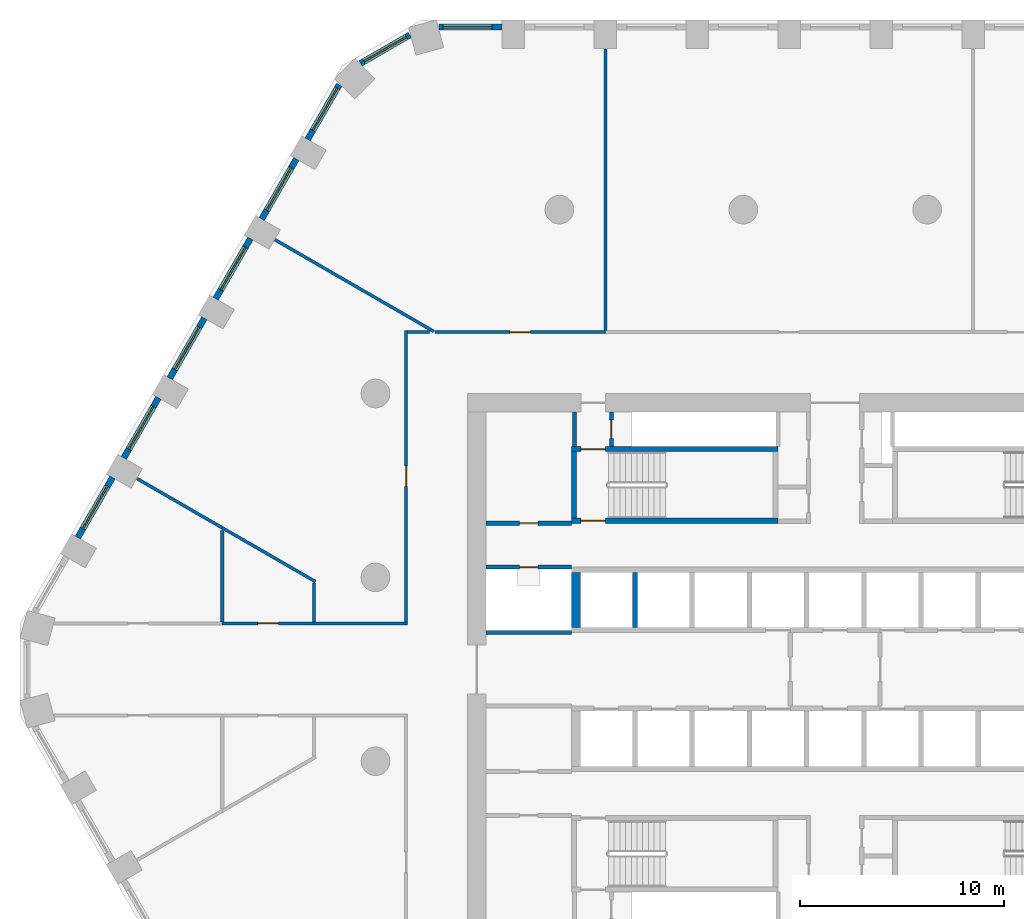
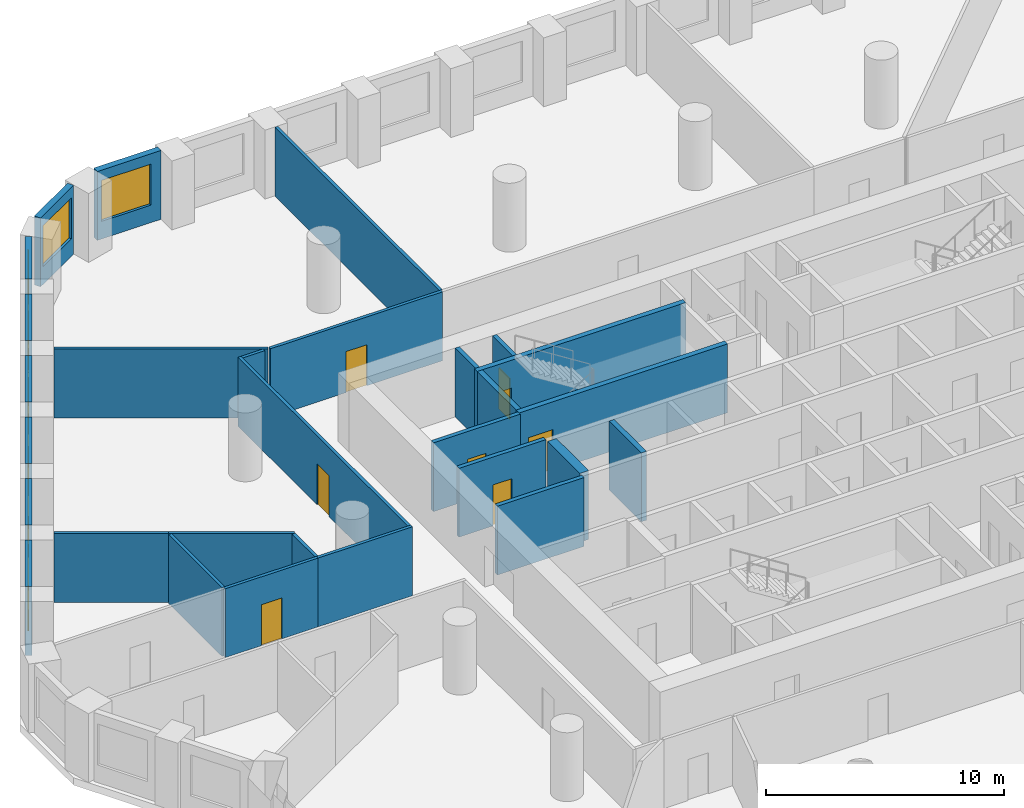
# One storey, part 5 of 10: 29 walls, 8 doors, 8 windows, 16 openings.
"""IFC4 building model written with IfcOpenShell, lengths in metres."""

import ifcopenshell
import ifcopenshell.guid

model = None  # the IFC model being written
_history = None  # IfcOwnerHistory: only IFC2X3 demands one
_inside = {}  # id of a spatial element -> (the spatial element, [elements in it])
_under = {}  # id of a project, library or spatial element -> (it, [spatial elements below it])
_declared = {}  # id of a project -> (the project, [libraries it declares])
_typed = {}  # id of a type object -> (the type object, [elements of that type])
_made_of = {}  # id of a material, layer set ... -> (it, [elements and type objects made of it])


def new_model(schema):
    """Start an empty IFC model of exactly this schema.

    Asked for "IFC4X3", IfcOpenShell would pick the latest addendum, in which some entities
    have other attributes; the version numbers below select the first issue.
    IFC2X3 requires an IfcOwnerHistory on every rooted entity: one is made here for all.
    """
    global model, _history
    if schema == "IFC4X3":
        model = ifcopenshell.file(schema_version=(4, 3, 0, 0))
    else:
        model = ifcopenshell.file(schema=schema)
    _inside.clear()
    _under.clear()
    _declared.clear()
    _typed.clear()
    _made_of.clear()
    _history = None
    if model.schema == "IFC2X3":
        org = make("IfcOrganization", Name="unknown")
        user = make(
            "IfcPersonAndOrganization",
            ThePerson=make("IfcPerson", FamilyName="unknown"),
            TheOrganization=org,
        )
        app = make(
            "IfcApplication",
            ApplicationDeveloper=org,
            Version="unknown",
            ApplicationFullName="unknown",
            ApplicationIdentifier="unknown",
        )
        _history = make(
            "IfcOwnerHistory",
            OwningUser=user,
            OwningApplication=app,
            ChangeAction="ADDED",
            CreationDate=0,
        )
    return model


def make(cls, **values):
    """One entity of the class cls with the attributes given. An attribute that is None is left unset."""
    return model.create_entity(
        cls, **{name: value for name, value in values.items() if value is not None}
    )


def rooted(cls, **values):
    """An entity with a GlobalId (a new one), such as an element, a storey or a relation."""
    return make(cls, GlobalId=ifcopenshell.guid.new(), OwnerHistory=_history, **values)


def si_unit(unit_type, name, prefix=None):
    """IfcSIUnit, for example si_unit("LENGTHUNIT", "METRE", prefix="MILLI")."""
    return make("IfcSIUnit", UnitType=unit_type, Prefix=prefix, Name=name)


def assignment(units):
    """IfcUnitAssignment: the units of a project."""
    return None if units is None else make("IfcUnitAssignment", Units=units)


def point(xyz):
    """IfcCartesianPoint."""
    return None if xyz is None else make("IfcCartesianPoint", Coordinates=xyz)


def direction(xyz):
    """IfcDirection."""
    return None if xyz is None else make("IfcDirection", DirectionRatios=xyz)


def frame(location, z_axis=None, x_axis=None):
    """IfcAxis2Placement3D, a coordinate frame: its origin and axes. An axis left out is left unset."""
    return make(
        "IfcAxis2Placement3D",
        Location=point(location),
        Axis=direction(z_axis),
        RefDirection=direction(x_axis),
    )


def frame_2d(location, x_axis=None):
    """IfcAxis2Placement2D, a coordinate frame in the plane: its origin and x axis."""
    return make(
        "IfcAxis2Placement2D", Location=point(location), RefDirection=direction(x_axis)
    )


def origin():
    """The frame at (0, 0, 0) with its axes left unset."""
    return frame((0.0, 0.0, 0.0))


def place(relative_to, where):
    """IfcLocalPlacement: puts the frame where relative to a parent placement (None: the world)."""
    return make(
        "IfcLocalPlacement", PlacementRelTo=relative_to, RelativePlacement=where
    )


def context(
    kind, dimensions, precision=None, world=None, true_north=None, identifier=None
):
    """IfcGeometricRepresentationContext, for example the 3D "Model" context."""
    return make(
        "IfcGeometricRepresentationContext",
        ContextIdentifier=identifier,
        ContextType=kind,
        CoordinateSpaceDimension=dimensions,
        Precision=precision,
        WorldCoordinateSystem=world,
        TrueNorth=true_north,
    )


def subcontext(parent, identifier, kind, view, scale=None):
    """IfcGeometricRepresentationSubContext, for example "Body" below "Model"."""
    return make(
        "IfcGeometricRepresentationSubContext",
        ContextIdentifier=identifier,
        ContextType=kind,
        ParentContext=parent,
        TargetScale=scale,
        TargetView=view,
    )


def project(units=None, contexts=None):
    """IfcProject with its units and contexts."""
    return rooted(
        "IfcProject",
        Name="project",
        RepresentationContexts=contexts,
        UnitsInContext=assignment(units),
    )


def spatial(cls, under=None, at=None, **own):
    """A site, building, storey or space (cls), placed at a placement, below another one or the project."""
    s = rooted(cls, ObjectPlacement=at, **own)
    if under is not None:
        _under.setdefault(under.id(), (under, []))[1].append(s)
    return s


def polyline(points):
    """IfcPolyline through the points."""
    return make("IfcPolyline", Points=[point(p) for p in points])


def profile(cls, at=None, kind="AREA", **sizes):
    """A parametric profile (cls). Its sizes go by their IFC names, for example OverallWidth=200.0."""
    return make(cls, ProfileType=kind, Position=at, **sizes)


def rectangle(**sizes):
    """IfcRectangleProfileDef."""
    return profile("IfcRectangleProfileDef", **sizes)


def outline(outer, holes=None, kind="AREA"):
    """IfcArbitraryClosedProfileDef: a profile drawn as a closed curve; with holes, ...WithVoids."""
    if holes is None:
        return make("IfcArbitraryClosedProfileDef", ProfileType=kind, OuterCurve=outer)
    return make(
        "IfcArbitraryProfileDefWithVoids",
        ProfileType=kind,
        OuterCurve=outer,
        InnerCurves=holes,
    )


def extrude(swept, where, along, depth):
    """IfcExtrudedAreaSolid: the profile swept, set in the frame where, extruded along a direction by depth."""
    return make(
        "IfcExtrudedAreaSolid",
        SweptArea=swept,
        Position=where,
        ExtrudedDirection=direction(along),
        Depth=depth,
    )


def shape(context_of_items, identifier, shape_type, items):
    """IfcShapeRepresentation: the items that make up one representation, for example the "Body"."""
    return make(
        "IfcShapeRepresentation",
        ContextOfItems=context_of_items,
        RepresentationIdentifier=identifier,
        RepresentationType=shape_type,
        Items=items,
    )


def material(Name=None, Category=None):
    """IfcMaterial."""
    return make("IfcMaterial", Name=Name, Category=Category)


def layer(
    of_material, thickness, ventilated=None, Name=None, Category=None, Priority=None
):
    """IfcMaterialLayer: one layer of a wall or slab, of a material (None: an air gap)."""
    return make(
        "IfcMaterialLayer",
        Material=of_material,
        LayerThickness=thickness,
        IsVentilated=ventilated,
        Name=Name,
        Category=Category,
        Priority=Priority,
    )


def layer_set(layers, Name=None):
    """IfcMaterialLayerSet."""
    return make("IfcMaterialLayerSet", MaterialLayers=layers, LayerSetName=Name)


def made_of(thing, what):
    """Note that an element or type object is made of a material, layer set ...; save() writes the relation."""
    if what is not None:
        _made_of.setdefault(what.id(), (what, []))[1].append(thing)
    return thing


def type_object(cls, material=None, **own):
    """A type object (cls), such as IfcWallType, which elements share."""
    return made_of(rooted(cls, **own), material)


def element(
    cls,
    number,
    at=None,
    inside=None,
    cuts=None,
    type_object=None,
    material=None,
    context=None,
    identifier="Body",
    shape_type=None,
    held_by="IfcProductDefinitionShape",
    body=None,
    shapes=None,
    **own,
):
    """One element of the class cls, such as IfcWall. Its Tag is "e" and its number.

    at: its placement. inside: the storey or other place that contains it. cuts: it is an
    opening in that element (IfcRelVoidsElement). A single representation is given by context,
    identifier, shape_type and body (its items); several are given by shapes. held_by: the class
    of the entity that holds the representations. save() writes the other relations.
    """
    e = rooted(cls, Tag="e%d" % number, ObjectPlacement=at, **own)
    if body is not None:
        shapes = [shape(context, identifier, shape_type, body)]
    if shapes is not None:
        e.Representation = make(held_by, Representations=shapes)
    if inside is not None:
        _inside.setdefault(inside.id(), (inside, []))[1].append(e)
    if cuts is not None:
        rooted(
            "IfcRelVoidsElement", RelatingBuildingElement=cuts, RelatedOpeningElement=e
        )
    if type_object is not None:
        _typed.setdefault(type_object.id(), (type_object, []))[1].append(e)
    return made_of(e, material)


def fill(opening, filler):
    """IfcRelFillsElement: the door or window that sits in an opening."""
    return rooted(
        "IfcRelFillsElement",
        RelatingOpeningElement=opening,
        RelatedBuildingElement=filler,
    )


def aggregate(whole, parts):
    """IfcRelAggregates: a whole, such as a stair, and the parts it consists of."""
    return rooted("IfcRelAggregates", RelatingObject=whole, RelatedObjects=parts)


def save(model, path):
    """Write the relations noted so far, then the file.

    IfcRelAggregates (storeys below a building ...), IfcRelContainedInSpatialStructure (elements
    in a storey), IfcRelDefinesByType, IfcRelAssociatesMaterial and IfcRelDeclares: one each for
    every whole, place, type object, material and project.
    """
    for whole, parts in _under.values():
        aggregate(whole, parts)
    for where, things in _inside.values():
        rooted(
            "IfcRelContainedInSpatialStructure",
            RelatedElements=things,
            RelatingStructure=where,
        )
    for kind, things in _typed.values():
        rooted("IfcRelDefinesByType", RelatedObjects=things, RelatingType=kind)
    for what, things in _made_of.values():
        rooted("IfcRelAssociatesMaterial", RelatedObjects=things, RelatingMaterial=what)
    for by, libraries in _declared.values():
        rooted("IfcRelDeclares", RelatingContext=by, RelatedDefinitions=libraries)
    model.write(path)


model = new_model("IFC4")

# Units and contexts
model_context = context("Model", 3, precision=1e-05, world=origin(), true_north=direction((0.0, 1.0)))
body_context = subcontext(model_context, "Body", "Model", "MODEL_VIEW")
ifc_project = project(units=[si_unit("LENGTHUNIT", "METRE"), si_unit("AREAUNIT", "SQUARE_METRE"), si_unit("VOLUMEUNIT", "CUBIC_METRE"), si_unit("PLANEANGLEUNIT", "RADIAN"), si_unit("MASSUNIT", "GRAM", prefix="KILO")], contexts=[model_context])

# Site, building, storey
site_placement = place(None, origin())
site = spatial("IfcSite", under=ifc_project, at=site_placement, CompositionType="ELEMENT")
building_placement = place(site_placement, origin())
building = spatial("IfcBuilding", under=site, at=building_placement, Name="Dhurran Vertical Campus", CompositionType="ELEMENT")
storey_placement = place(building_placement, frame((0.0, 0.0, 33.89990234375)))
storey = spatial("IfcBuildingStorey", under=building, at=storey_placement, Name="L07", CompositionType="ELEMENT", Elevation=33.89990234375)

# Wall, opening, window
ifc_material_1 = material(Name="Precast concrete C50/60", Category="concrete")
ifc_layer_1 = layer(ifc_material_1, 0.300048828125)
ifc_layer_set_1 = layer_set([ifc_layer_1], Name="Precast concrete C50/60")
wall_type_1 = type_object("IfcWallType", Name="Precast spandrel wall 300", PredefinedType="SOLIDWALL", material=ifc_layer_set_1)
wall_1_placement = place(storey_placement, frame((-16.300537109375, 31.4296875, 0.0), z_axis=(0.0, 0.0, 1.0), x_axis=(-1.0, 0.0, 0.0)))
wall_1 = element("IfcWall", 1, at=wall_1_placement, inside=storey, type_object=wall_type_1, Name="EW1 L07.34", PredefinedType="SOLIDWALL", context=body_context, shape_type="SweptSolid", body=[
    extrude(rectangle(XDim=3.090576171875, YDim=0.300048828125, at=frame_2d((1.54541015625, 0.0))), origin(), (0.0, 0.0, 1.0), 3.525146484375),
])
opening_1_placement = place(wall_1_placement, frame((0.49951171875, 0.0, 0.89990234375)))
opening_1 = element("IfcOpeningElement", 2, at=opening_1_placement, cuts=wall_1, Name="Opening WT1", PredefinedType="OPENING", context=body_context, shape_type="SweptSolid", body=[
    extrude(rectangle(XDim=2.39990234375, YDim=2.10009765625, at=frame_2d((1.199951171875, 1.050048828125))), frame((0.0, 0.159912109375, 0.0), z_axis=(0.0, -1.0, 0.0), x_axis=(1.0, 0.0, 0.0)), (0.0, 0.0, 1.0), 0.320068359375),
])
ifc_material_2 = material(Name="Aluminium frame with solar-control glass", Category="aluminium")
window_type = type_object("IfcWindowType", Name="Punched window 2400 x 2100", PartitioningType="SINGLE_PANEL", PredefinedType="WINDOW", material=ifc_material_2)
window_1_placement = place(opening_1_placement, origin())
window_1 = element("IfcWindow", 3, at=window_1_placement, inside=storey, type_object=window_type, Name="WT1 L07.34", OverallHeight=2.10009765625, OverallWidth=2.39990234375, PartitioningType="SINGLE_PANEL", PredefinedType="WINDOW", context=body_context, shape_type="SweptSolid", body=[
    extrude(rectangle(XDim=2.39990234375, YDim=2.10009765625, at=frame_2d((1.199951171875, 1.050048828125))), frame((0.0, 0.030029296875, 0.0), z_axis=(0.0, -1.0, 0.0), x_axis=(1.0, 0.0, 0.0)), (0.0, 0.0, 1.0), 0.06005859375),
])
fill(opening_1, window_1)

wall_2_placement = place(storey_placement, frame((-20.81884765625, 31.047119140625, 0.0), z_axis=(0.0, 0.0, 1.0), x_axis=(-0.866020456713, -0.500008568482, 0.0)))
wall_2 = element("IfcWall", 4, at=wall_2_placement, inside=storey, type_object=wall_type_1, Name="EW1 L07.35", PredefinedType="SOLIDWALL", context=body_context, shape_type="SweptSolid", body=[
    extrude(rectangle(XDim=2.7822265625, YDim=0.300048828125, at=frame_2d((1.39111328125, 0.0))), origin(), (0.0, 0.0, 1.0), 3.525146484375),
])
opening_2_placement = place(wall_2_placement, frame((0.191162109375, 0.0, 0.89990234375)))
opening_2 = element("IfcOpeningElement", 5, at=opening_2_placement, cuts=wall_2, Name="Opening WT1", PredefinedType="OPENING", context=body_context, shape_type="SweptSolid", body=[
    extrude(rectangle(XDim=2.39990234375, YDim=2.10009765625, at=frame_2d((1.199951171875, 1.050048828125))), frame((0.0, 0.159912109375, 0.0), z_axis=(0.0, -1.0, 0.0), x_axis=(1.0, 0.0, 0.0)), (0.0, 0.0, 1.0), 0.320068359375),
])
window_2_placement = place(opening_2_placement, origin())
window_2 = element("IfcWindow", 6, at=window_2_placement, inside=storey, type_object=window_type, Name="WT1 L07.35", OverallHeight=2.10009765625, OverallWidth=2.39990234375, PartitioningType="SINGLE_PANEL", PredefinedType="WINDOW", context=body_context, shape_type="SweptSolid", body=[
    extrude(rectangle(XDim=2.39990234375, YDim=2.10009765625, at=frame_2d((1.199951171875, 1.050048828125))), frame((0.0, 0.030029296875, 0.0), z_axis=(0.0, -1.0, 0.0), x_axis=(1.0, 0.0, 0.0)), (0.0, 0.0, 1.0), 0.06005859375),
])
fill(opening_2, window_2)

wall_3_placement = place(storey_placement, frame((-24.2734375, 28.611083984375, 0.0), z_axis=(0.0, 0.0, 1.0), x_axis=(-0.499995950774, -0.866027741594, 0.0)))
wall_3 = element("IfcWall", 7, at=wall_3_placement, inside=storey, type_object=wall_type_1, Name="EW1 L07.36", PredefinedType="SOLIDWALL", context=body_context, shape_type="SweptSolid", body=[
    extrude(rectangle(XDim=3.0908203125, YDim=0.300048828125, at=frame_2d((1.54541015625, 0.0))), origin(), (0.0, 0.0, 1.0), 3.525146484375),
])
opening_3_placement = place(wall_3_placement, frame((0.191162109375, 0.0, 0.89990234375)))
opening_3 = element("IfcOpeningElement", 8, at=opening_3_placement, cuts=wall_3, Name="Opening WT1", PredefinedType="OPENING", context=body_context, shape_type="SweptSolid", body=[
    extrude(rectangle(XDim=2.39990234375, YDim=2.10009765625, at=frame_2d((1.199951171875, 1.050048828125))), frame((0.0, 0.159912109375, 0.0), z_axis=(0.0, -1.0, 0.0), x_axis=(1.0, 0.0, 0.0)), (0.0, 0.0, 1.0), 0.320068359375),
])
window_3_placement = place(opening_3_placement, origin())
window_3 = element("IfcWindow", 9, at=window_3_placement, inside=storey, type_object=window_type, Name="WT1 L07.36", OverallHeight=2.10009765625, OverallWidth=2.39990234375, PartitioningType="SINGLE_PANEL", PredefinedType="WINDOW", context=body_context, shape_type="SweptSolid", body=[
    extrude(rectangle(XDim=2.39990234375, YDim=2.10009765625, at=frame_2d((1.199951171875, 1.050048828125))), frame((0.0, 0.030029296875, 0.0), z_axis=(0.0, -1.0, 0.0), x_axis=(1.0, 0.0, 0.0)), (0.0, 0.0, 1.0), 0.06005859375),
])
fill(opening_3, window_3)

wall_4_placement = place(storey_placement, frame((-26.369384765625, 24.98095703125, 0.0), z_axis=(0.0, 0.0, 1.0), x_axis=(-0.499993955907, -0.866028893315, 0.0)))
wall_4 = element("IfcWall", 10, at=wall_4_placement, inside=storey, type_object=wall_type_1, Name="EW1 L07.37", PredefinedType="SOLIDWALL", context=body_context, shape_type="SweptSolid", body=[
    extrude(rectangle(XDim=3.39892578125, YDim=0.300048828125, at=frame_2d((1.699462890625, 0.0))), origin(), (0.0, 0.0, 1.0), 3.525146484375),
])
opening_4_placement = place(wall_4_placement, frame((0.49951171875, 0.0, 0.89990234375)))
opening_4 = element("IfcOpeningElement", 11, at=opening_4_placement, cuts=wall_4, Name="Opening WT1", PredefinedType="OPENING", context=body_context, shape_type="SweptSolid", body=[
    extrude(rectangle(XDim=2.39990234375, YDim=2.10009765625, at=frame_2d((1.199951171875, 1.050048828125))), frame((0.0, 0.159912109375, 0.0), z_axis=(0.0, -1.0, 0.0), x_axis=(1.0, 0.0, 0.0)), (0.0, 0.0, 1.0), 0.320068359375),
])
window_4_placement = place(opening_4_placement, origin())
window_4 = element("IfcWindow", 12, at=window_4_placement, inside=storey, type_object=window_type, Name="WT1 L07.37", OverallHeight=2.10009765625, OverallWidth=2.39990234375, PartitioningType="SINGLE_PANEL", PredefinedType="WINDOW", context=body_context, shape_type="SweptSolid", body=[
    extrude(rectangle(XDim=2.39990234375, YDim=2.10009765625, at=frame_2d((1.199951171875, 1.050048828125))), frame((0.0, 0.030029296875, 0.0), z_axis=(0.0, -1.0, 0.0), x_axis=(1.0, 0.0, 0.0)), (0.0, 0.0, 1.0), 0.06005859375),
])
fill(opening_4, window_4)

wall_5_placement = place(storey_placement, frame((-28.619384765625, 21.083740234375, 0.0), z_axis=(0.0, 0.0, 1.0), x_axis=(-0.499993955907, -0.866028893315, 0.0)))
wall_5 = element("IfcWall", 13, at=wall_5_placement, inside=storey, type_object=wall_type_1, Name="EW1 L07.38", PredefinedType="SOLIDWALL", context=body_context, shape_type="SweptSolid", body=[
    extrude(rectangle(XDim=3.39892578125, YDim=0.300048828125, at=frame_2d((1.699462890625, 0.0))), origin(), (0.0, 0.0, 1.0), 3.525146484375),
])
opening_5_placement = place(wall_5_placement, frame((0.49951171875, 0.0, 0.89990234375)))
opening_5 = element("IfcOpeningElement", 14, at=opening_5_placement, cuts=wall_5, Name="Opening WT1", PredefinedType="OPENING", context=body_context, shape_type="SweptSolid", body=[
    extrude(rectangle(XDim=2.39990234375, YDim=2.10009765625, at=frame_2d((1.199951171875, 1.050048828125))), frame((0.0, 0.159912109375, 0.0), z_axis=(0.0, -1.0, 0.0), x_axis=(1.0, 0.0, 0.0)), (0.0, 0.0, 1.0), 0.320068359375),
])
window_5_placement = place(opening_5_placement, origin())
window_5 = element("IfcWindow", 15, at=window_5_placement, inside=storey, type_object=window_type, Name="WT1 L07.38", OverallHeight=2.10009765625, OverallWidth=2.39990234375, PartitioningType="SINGLE_PANEL", PredefinedType="WINDOW", context=body_context, shape_type="SweptSolid", body=[
    extrude(rectangle(XDim=2.39990234375, YDim=2.10009765625, at=frame_2d((1.199951171875, 1.050048828125))), frame((0.0, 0.030029296875, 0.0), z_axis=(0.0, -1.0, 0.0), x_axis=(1.0, 0.0, 0.0)), (0.0, 0.0, 1.0), 0.06005859375),
])
fill(opening_5, window_5)

wall_6_placement = place(storey_placement, frame((-30.869384765625, 17.186767578125, 0.0), z_axis=(0.0, 0.0, 1.0), x_axis=(-0.499993955907, -0.866028893315, 0.0)))
wall_6 = element("IfcWall", 16, at=wall_6_placement, inside=storey, type_object=wall_type_1, Name="EW1 L07.39", PredefinedType="SOLIDWALL", context=body_context, shape_type="SweptSolid", body=[
    extrude(rectangle(XDim=3.39892578125, YDim=0.300048828125, at=frame_2d((1.699462890625, 0.0))), origin(), (0.0, 0.0, 1.0), 3.525146484375),
])
opening_6_placement = place(wall_6_placement, frame((0.49951171875, 0.0, 0.89990234375)))
opening_6 = element("IfcOpeningElement", 17, at=opening_6_placement, cuts=wall_6, Name="Opening WT1", PredefinedType="OPENING", context=body_context, shape_type="SweptSolid", body=[
    extrude(rectangle(XDim=2.39990234375, YDim=2.10009765625, at=frame_2d((1.199951171875, 1.050048828125))), frame((0.0, 0.159912109375, 0.0), z_axis=(0.0, -1.0, 0.0), x_axis=(1.0, 0.0, 0.0)), (0.0, 0.0, 1.0), 0.320068359375),
])
window_6_placement = place(opening_6_placement, origin())
window_6 = element("IfcWindow", 18, at=window_6_placement, inside=storey, type_object=window_type, Name="WT1 L07.39", OverallHeight=2.10009765625, OverallWidth=2.39990234375, PartitioningType="SINGLE_PANEL", PredefinedType="WINDOW", context=body_context, shape_type="SweptSolid", body=[
    extrude(rectangle(XDim=2.39990234375, YDim=2.10009765625, at=frame_2d((1.199951171875, 1.050048828125))), frame((0.0, 0.030029296875, 0.0), z_axis=(0.0, -1.0, 0.0), x_axis=(1.0, 0.0, 0.0)), (0.0, 0.0, 1.0), 0.06005859375),
])
fill(opening_6, window_6)

wall_7_placement = place(storey_placement, frame((-33.119384765625, 13.28955078125, 0.0), z_axis=(0.0, 0.0, 1.0), x_axis=(-0.499993955907, -0.866028893315, 0.0)))
wall_7 = element("IfcWall", 19, at=wall_7_placement, inside=storey, type_object=wall_type_1, Name="EW1 L07.40", PredefinedType="SOLIDWALL", context=body_context, shape_type="SweptSolid", body=[
    extrude(rectangle(XDim=3.39892578125, YDim=0.300048828125, at=frame_2d((1.699462890625, 0.0))), origin(), (0.0, 0.0, 1.0), 3.525146484375),
])
opening_7_placement = place(wall_7_placement, frame((0.49951171875, 0.0, 0.89990234375)))
opening_7 = element("IfcOpeningElement", 20, at=opening_7_placement, cuts=wall_7, Name="Opening WT1", PredefinedType="OPENING", context=body_context, shape_type="SweptSolid", body=[
    extrude(rectangle(XDim=2.39990234375, YDim=2.10009765625, at=frame_2d((1.199951171875, 1.050048828125))), frame((0.0, 0.159912109375, 0.0), z_axis=(0.0, -1.0, 0.0), x_axis=(1.0, 0.0, 0.0)), (0.0, 0.0, 1.0), 0.320068359375),
])
window_7_placement = place(opening_7_placement, origin())
window_7 = element("IfcWindow", 21, at=window_7_placement, inside=storey, type_object=window_type, Name="WT1 L07.40", OverallHeight=2.10009765625, OverallWidth=2.39990234375, PartitioningType="SINGLE_PANEL", PredefinedType="WINDOW", context=body_context, shape_type="SweptSolid", body=[
    extrude(rectangle(XDim=2.39990234375, YDim=2.10009765625, at=frame_2d((1.199951171875, 1.050048828125))), frame((0.0, 0.030029296875, 0.0), z_axis=(0.0, -1.0, 0.0), x_axis=(1.0, 0.0, 0.0)), (0.0, 0.0, 1.0), 0.06005859375),
])
fill(opening_7, window_7)

wall_8_placement = place(storey_placement, frame((-35.369384765625, 9.392578125, 0.0), z_axis=(0.0, 0.0, 1.0), x_axis=(-0.499993955907, -0.866028893315, 0.0)))
wall_8 = element("IfcWall", 22, at=wall_8_placement, inside=storey, type_object=wall_type_1, Name="EW1 L07.41", PredefinedType="SOLIDWALL", context=body_context, shape_type="SweptSolid", body=[
    extrude(rectangle(XDim=3.39892578125, YDim=0.300048828125, at=frame_2d((1.699462890625, 0.0))), origin(), (0.0, 0.0, 1.0), 3.525146484375),
])
opening_8_placement = place(wall_8_placement, frame((0.49951171875, 0.0, 0.89990234375)))
opening_8 = element("IfcOpeningElement", 23, at=opening_8_placement, cuts=wall_8, Name="Opening WT1", PredefinedType="OPENING", context=body_context, shape_type="SweptSolid", body=[
    extrude(rectangle(XDim=2.39990234375, YDim=2.10009765625, at=frame_2d((1.199951171875, 1.050048828125))), frame((0.0, 0.159912109375, 0.0), z_axis=(0.0, -1.0, 0.0), x_axis=(1.0, 0.0, 0.0)), (0.0, 0.0, 1.0), 0.320068359375),
])
window_8_placement = place(opening_8_placement, origin())
window_8 = element("IfcWindow", 24, at=window_8_placement, inside=storey, type_object=window_type, Name="WT1 L07.41", OverallHeight=2.10009765625, OverallWidth=2.39990234375, PartitioningType="SINGLE_PANEL", PredefinedType="WINDOW", context=body_context, shape_type="SweptSolid", body=[
    extrude(rectangle(XDim=2.39990234375, YDim=2.10009765625, at=frame_2d((1.199951171875, 1.050048828125))), frame((0.0, 0.030029296875, 0.0), z_axis=(0.0, -1.0, 0.0), x_axis=(1.0, 0.0, 0.0)), (0.0, 0.0, 1.0), 0.06005859375),
])
fill(opening_8, window_8)

# Wall
ifc_material_3 = material(Name="Fire-rated masonry blockwork", Category="masonry")
ifc_layer_2 = layer(ifc_material_3, 0.199951171875)
ifc_layer_set_2 = layer_set([ifc_layer_2], Name="Fire-rated masonry blockwork")
wall_type_2 = type_object("IfcWallType", Name="co-FIRE-PARTITION-200", PredefinedType="PARTITIONING", material=ifc_layer_set_2)
wall_9_placement = place(storey_placement, frame((-12.75, 10.89990234375, 0.0), z_axis=(0.0, 0.0, 1.0), x_axis=(0.0, 1.0, 0.0)))
element("IfcWall", 25, at=wall_9_placement, inside=storey, type_object=wall_type_2, Name="Core partition pass-ST1-o L07", PredefinedType="PARTITIONING", context=body_context, shape_type="SweptSolid", body=[
    extrude(rectangle(XDim=1.7001953125, YDim=0.199951171875, at=frame_2d((0.85009765625, 0.0))), origin(), (0.0, 0.0, 1.0), 3.525146484375),
])

# Wall, opening, door
wall_10_placement = place(storey_placement, frame((-10.949951171875, 10.89990234375, 0.0), z_axis=(0.0, 0.0, 1.0), x_axis=(0.0, 1.0, 0.0)))
wall_10 = element("IfcWall", 26, at=wall_10_placement, inside=storey, type_object=wall_type_2, Name="Core partition pass-ST1-i L07", PredefinedType="PARTITIONING", context=body_context, shape_type="SweptSolid", body=[
    extrude(rectangle(XDim=1.7001953125, YDim=0.199951171875, at=frame_2d((0.85009765625, 0.0))), origin(), (0.0, 0.0, 1.0), 3.525146484375),
])
opening_9_placement = place(wall_10_placement, frame((0.39990234375, 0.0, 0.0)))
opening_9 = element("IfcOpeningElement", 27, at=opening_9_placement, cuts=wall_10, Name="Opening T01-C9", PredefinedType="OPENING", context=body_context, shape_type="SweptSolid", body=[
    extrude(rectangle(XDim=0.89990234375, YDim=2.10009765625, at=frame_2d((0.449951171875, 1.050048828125))), frame((0.0, 0.10986328125, 0.0), z_axis=(0.0, -1.0, 0.0), x_axis=(1.0, 0.0, 0.0)), (0.0, 0.0, 1.0), 0.219970703125),
])
ifc_material_4 = material(Name="Fire-rated timber door set", Category="wood")
door_type_1 = type_object("IfcDoorType", Name="co-D-ROOM 900x2100", OperationType="SINGLE_SWING_LEFT", PredefinedType="DOOR", material=ifc_material_4)
door_1_placement = place(opening_9_placement, origin())
door_1 = element("IfcDoor", 28, at=door_1_placement, inside=storey, type_object=door_type_1, Name="Riser room door L07", OperationType="SINGLE_SWING_LEFT", OverallHeight=2.10009765625, OverallWidth=0.89990234375, PredefinedType="DOOR", context=body_context, shape_type="SweptSolid", body=[
    extrude(rectangle(XDim=0.89990234375, YDim=2.10009765625, at=frame_2d((0.449951171875, 1.050048828125))), frame((0.0, 0.02490234375, 0.0), z_axis=(0.0, -1.0, 0.0), x_axis=(1.0, 0.0, 0.0)), (0.0, 0.0, 1.0), 0.050048828125),
])
fill(opening_9, door_1)

wall_11_placement = place(storey_placement, frame((-17.10009765625, 7.14990234375, 0.0), z_axis=(0.0, 0.0, 1.0), x_axis=(1.0, 0.0, 0.0)))
wall_11 = element("IfcWall", 29, at=wall_11_placement, inside=storey, type_object=wall_type_2, Name="Core partition en-NW-w L07", PredefinedType="PARTITIONING", context=body_context, shape_type="SweptSolid", body=[
    extrude(rectangle(XDim=4.2001953125, YDim=0.199951171875, at=frame_2d((2.10009765625, 0.0))), origin(), (0.0, 0.0, 1.0), 3.525146484375),
])
opening_10_placement = place(wall_11_placement, frame((1.64990234375, 0.0, 0.0)))
opening_10 = element("IfcOpeningElement", 30, at=opening_10_placement, cuts=wall_11, Name="Opening T01-C13", PredefinedType="OPENING", context=body_context, shape_type="SweptSolid", body=[
    extrude(rectangle(XDim=0.89990234375, YDim=2.10009765625, at=frame_2d((0.449951171875, 1.050048828125))), frame((0.0, 0.10986328125, 0.0), z_axis=(0.0, -1.0, 0.0), x_axis=(1.0, 0.0, 0.0)), (0.0, 0.0, 1.0), 0.219970703125),
])
door_2_placement = place(opening_10_placement, origin())
door_2 = element("IfcDoor", 31, at=door_2_placement, inside=storey, type_object=door_type_1, Name="Pantry door L07", OperationType="SINGLE_SWING_LEFT", OverallHeight=2.10009765625, OverallWidth=0.89990234375, PredefinedType="DOOR", context=body_context, shape_type="SweptSolid", body=[
    extrude(rectangle(XDim=0.89990234375, YDim=2.10009765625, at=frame_2d((0.449951171875, 1.050048828125))), frame((0.0, 0.02490234375, 0.0), z_axis=(0.0, -1.0, 0.0), x_axis=(1.0, 0.0, 0.0)), (0.0, 0.0, 1.0), 0.050048828125),
])
fill(opening_10, door_2)

wall_12_placement = place(storey_placement, frame((-17.10009765625, 5.0, 0.0), z_axis=(0.0, 0.0, 1.0), x_axis=(1.0, 0.0, 0.0)))
wall_12 = element("IfcWall", 32, at=wall_12_placement, inside=storey, type_object=wall_type_2, Name="Core partition es-NW-w L07", PredefinedType="PARTITIONING", context=body_context, shape_type="SweptSolid", body=[
    extrude(rectangle(XDim=4.2001953125, YDim=0.199951171875, at=frame_2d((2.10009765625, 0.0))), origin(), (0.0, 0.0, 1.0), 3.525146484375),
])
opening_11_placement = place(wall_12_placement, frame((1.64990234375, 0.0, 0.0)))
opening_11 = element("IfcOpeningElement", 33, at=opening_11_placement, cuts=wall_12, Name="Opening T01-C14", PredefinedType="OPENING", context=body_context, shape_type="SweptSolid", body=[
    extrude(rectangle(XDim=0.89990234375, YDim=2.10009765625, at=frame_2d((0.449951171875, 1.050048828125))), frame((0.0, 0.10986328125, 0.0), z_axis=(0.0, -1.0, 0.0), x_axis=(1.0, 0.0, 0.0)), (0.0, 0.0, 1.0), 0.219970703125),
])
door_3_placement = place(opening_11_placement, origin())
door_3 = element("IfcDoor", 34, at=door_3_placement, inside=storey, type_object=door_type_1, Name="Water riser door L07", OperationType="SINGLE_SWING_LEFT", OverallHeight=2.10009765625, OverallWidth=0.89990234375, PredefinedType="DOOR", context=body_context, shape_type="SweptSolid", body=[
    extrude(rectangle(XDim=0.89990234375, YDim=2.10009765625, at=frame_2d((0.449951171875, 1.050048828125))), frame((0.0, 0.02490234375, 0.0), z_axis=(0.0, -1.0, 0.0), x_axis=(1.0, 0.0, 0.0)), (0.0, 0.0, 1.0), 0.050048828125),
])
fill(opening_11, door_3)

# Walls
wall_13_placement = place(storey_placement, frame((-17.10009765625, 1.800048828125, 0.0), z_axis=(0.0, 0.0, 1.0), x_axis=(1.0, 0.0, 0.0)))
element("IfcWall", 35, at=wall_13_placement, inside=storey, type_object=wall_type_2, Name="Core partition es-NW-l L07", PredefinedType="PARTITIONING", context=body_context, shape_type="SweptSolid", body=[
    extrude(rectangle(XDim=4.2001953125, YDim=0.199951171875, at=frame_2d((2.10009765625, 0.0))), origin(), (0.0, 0.0, 1.0), 3.525146484375),
])
ifc_material_5 = material(Name="Concrete C50/60", Category="concrete")
ifc_layer_3 = layer(ifc_material_5, 0.25)
ifc_layer_set_3 = layer_set([ifc_layer_3], Name="Concrete C50/60")
wall_type_3 = type_object("IfcWallType", Name="co-SHAFT-MASS-250", PredefinedType="SHEAR", material=ifc_layer_set_3)
wall_14_placement = place(storey_placement, origin())
element("IfcWall", 36, at=wall_14_placement, inside=storey, type_object=wall_type_3, Name="Lift shaft wall N L07 2", PredefinedType="SHEAR", context=body_context, shape_type="SweptSolid", body=[
    extrude(outline(polyline([(-12.89990234375, 2.050048828125), (-12.47509765625, 2.050048828125), (-12.47509765625, 4.75), (-12.89990234375, 4.75), (-12.89990234375, 2.050048828125)])), origin(), (0.0, 0.0, 1.0), 3.525146484375),
])
wall_15_placement = place(storey_placement, origin())
element("IfcWall", 37, at=wall_15_placement, inside=storey, type_object=wall_type_3, Name="Lift shaft wall N L07 3", PredefinedType="SHEAR", context=body_context, shape_type="SweptSolid", body=[
    extrude(outline(polyline([(-9.925048828125, 2.050048828125), (-9.675048828125, 2.050048828125), (-9.675048828125, 4.75), (-9.925048828125, 4.75), (-9.925048828125, 2.050048828125)])), origin(), (0.0, 0.0, 1.0), 3.525146484375),
])

# Wall, opening, door
ifc_material_6 = material(Name="Concrete C40/50", Category="concrete")
ifc_layer_4 = layer(ifc_material_6, 0.25)
ifc_layer_set_4 = layer_set([ifc_layer_4], Name="Concrete C40/50")
wall_type_4 = type_object("IfcWallType", Name="co-STAIR-WALL-250", PredefinedType="SHEAR", material=ifc_layer_set_4)
wall_16_placement = place(storey_placement, frame((-12.89990234375, 7.27490234375, 0.0), z_axis=(0.0, 0.0, 1.0), x_axis=(1.0, 0.0, 0.0)))
wall_16 = element("IfcWall", 38, at=wall_16_placement, inside=storey, type_object=wall_type_4, Name="Stair ST1 enclosure wall L07", PredefinedType="SHEAR", context=body_context, shape_type="SweptSolid", body=[
    extrude(rectangle(XDim=10.099853515625, YDim=0.25, at=frame_2d((5.0498046875, 0.0))), origin(), (0.0, 0.0, 1.0), 3.525146484375),
])
opening_12_placement = place(wall_16_placement, frame((0.449951171875, 0.0, 0.0)))
opening_12 = element("IfcOpeningElement", 39, at=opening_12_placement, cuts=wall_16, Name="Opening SD1", PredefinedType="OPENING", context=body_context, shape_type="SweptSolid", body=[
    extrude(rectangle(XDim=1.199951171875, YDim=2.10009765625, at=frame_2d((0.60009765625, 1.050048828125))), frame((0.0, 0.135009765625, 0.0), z_axis=(0.0, -1.0, 0.0), x_axis=(1.0, 0.0, 0.0)), (0.0, 0.0, 1.0), 0.27001953125),
])
ifc_material_7 = material(Name="Fire-rated steel door set", Category="steel")
door_type_2 = type_object("IfcDoorType", Name="co-D-STAIR 1200x2100", OperationType="SINGLE_SWING_LEFT", PredefinedType="DOOR", material=ifc_material_7)
door_4_placement = place(opening_12_placement, origin())
door_4 = element("IfcDoor", 40, at=door_4_placement, inside=storey, type_object=door_type_2, Name="Stair ST1 door L07", OperationType="SINGLE_SWING_LEFT", OverallHeight=2.10009765625, OverallWidth=1.199951171875, PredefinedType="DOOR", context=body_context, shape_type="SweptSolid", body=[
    extrude(rectangle(XDim=1.199951171875, YDim=2.10009765625, at=frame_2d((0.60009765625, 1.050048828125))), frame((0.0, 0.02490234375, 0.0), z_axis=(0.0, -1.0, 0.0), x_axis=(1.0, 0.0, 0.0)), (0.0, 0.0, 1.0), 0.050048828125),
])
fill(opening_12, door_4)

wall_17_placement = place(storey_placement, frame((-12.89990234375, 10.77490234375, 0.0), z_axis=(0.0, 0.0, 1.0), x_axis=(1.0, 0.0, 0.0)))
wall_17 = element("IfcWall", 41, at=wall_17_placement, inside=storey, type_object=wall_type_4, Name="Stair ST1 enclosure wall L07", PredefinedType="SHEAR", context=body_context, shape_type="SweptSolid", body=[
    extrude(rectangle(XDim=10.099853515625, YDim=0.25, at=frame_2d((5.0498046875, 0.0))), origin(), (0.0, 0.0, 1.0), 3.525146484375),
])
opening_13_placement = place(wall_17_placement, frame((0.449951171875, 0.0, 0.0)))
opening_13 = element("IfcOpeningElement", 42, at=opening_13_placement, cuts=wall_17, Name="Opening XS1", PredefinedType="OPENING", context=body_context, shape_type="SweptSolid", body=[
    extrude(rectangle(XDim=1.199951171875, YDim=2.10009765625, at=frame_2d((0.60009765625, 1.050048828125))), frame((0.0, 0.135009765625, 0.0), z_axis=(0.0, -1.0, 0.0), x_axis=(1.0, 0.0, 0.0)), (0.0, 0.0, 1.0), 0.27001953125),
])
ifc_material_8 = material(Name="Fire-rated steel door set", Category="steel")
door_type_3 = type_object("IfcDoorType", Name="co-D-STAIR-EXIT 1200x2100", OperationType="SINGLE_SWING_RIGHT", PredefinedType="DOOR", material=ifc_material_8)
door_5_placement = place(opening_13_placement, origin())
door_5 = element("IfcDoor", 43, at=door_5_placement, inside=storey, type_object=door_type_3, Name="Stair ST1 discharge door L07", OperationType="SINGLE_SWING_RIGHT", OverallHeight=2.10009765625, OverallWidth=1.199951171875, PredefinedType="DOOR", context=body_context, shape_type="SweptSolid", body=[
    extrude(rectangle(XDim=1.199951171875, YDim=2.10009765625, at=frame_2d((0.60009765625, 1.050048828125))), frame((0.0, 0.02490234375, 0.0), z_axis=(0.0, -1.0, 0.0), x_axis=(1.0, 0.0, 0.0)), (0.0, 0.0, 1.0), 0.050048828125),
])
fill(opening_13, door_5)

# Wall
wall_18_placement = place(storey_placement, frame((-12.77490234375, 7.39990234375, 0.0), z_axis=(0.0, 0.0, 1.0), x_axis=(0.0, 1.0, 0.0)))
element("IfcWall", 44, at=wall_18_placement, inside=storey, type_object=wall_type_4, Name="Stair ST1 enclosure wall L07", PredefinedType="SHEAR", context=body_context, shape_type="SweptSolid", body=[
    extrude(rectangle(XDim=3.25, YDim=0.25, at=frame_2d((1.625, 0.0))), origin(), (0.0, 0.0, 1.0), 3.525146484375),
])

# Wall, opening, door
ifc_material_9 = material(Name="Gypsum board corridor wall on steel studs", Category="steel")
ifc_layer_5 = layer(ifc_material_9, 0.14990234375)
ifc_layer_set_5 = layer_set([ifc_layer_5], Name="Gypsum board corridor wall on steel studs")
wall_type_5 = type_object("IfcWallType", Name="fl-CW-150 corridor wall", PredefinedType="PARTITIONING", material=ifc_layer_set_5)
wall_19_placement = place(storey_placement, frame((-30.0, 2.25, 0.0), z_axis=(0.0, 0.0, 1.0), x_axis=(1.0, 0.0, 0.0)))
wall_19 = element("IfcWall", 45, at=wall_19_placement, inside=storey, type_object=wall_type_5, Name="Partition 07-09", PredefinedType="PARTITIONING", context=body_context, shape_type="SweptSolid", body=[
    extrude(rectangle(XDim=4.5, YDim=0.14990234375, at=frame_2d((2.25, 0.0))), origin(), (0.0, 0.0, 1.0), 3.525146484375),
])
opening_14_placement = place(wall_19_placement, frame((1.75, 0.0, 0.0)))
opening_14 = element("IfcOpeningElement", 46, at=opening_14_placement, cuts=wall_19, Name="Opening T01.04", PredefinedType="OPENING", context=body_context, shape_type="SweptSolid", body=[
    extrude(rectangle(XDim=1.0, YDim=2.10009765625, at=frame_2d((0.5, 1.050048828125))), frame((0.0, 0.0849609375, 0.0), z_axis=(0.0, -1.0, 0.0), x_axis=(1.0, 0.0, 0.0)), (0.0, 0.0, 1.0), 0.169921875),
])
ifc_material_10 = material(Name="Solid-core timber door set, fire-rated", Category="wood")
door_type_4 = type_object("IfcDoorType", Name="fl-D-1000x2100", OperationType="SINGLE_SWING_LEFT", PredefinedType="DOOR", material=ifc_material_10)
door_6_placement = place(opening_14_placement, origin())
door_6 = element("IfcDoor", 47, at=door_6_placement, inside=storey, type_object=door_type_4, Name="Door 07.04", OperationType="SINGLE_SWING_RIGHT", OverallHeight=2.10009765625, OverallWidth=1.0, PredefinedType="DOOR", context=body_context, shape_type="SweptSolid", body=[
    extrude(rectangle(XDim=1.0, YDim=2.10009765625, at=frame_2d((0.5, 1.050048828125))), frame((0.0, 0.02490234375, 0.0), z_axis=(0.0, -1.0, 0.0), x_axis=(1.0, 0.0, 0.0)), (0.0, 0.0, 1.0), 0.050048828125),
])
fill(opening_14, door_6)

# Wall
wall_20_placement = place(storey_placement, frame((-25.5, 2.25, 0.0), z_axis=(0.0, 0.0, 1.0), x_axis=(1.0, 0.0, 0.0)))
element("IfcWall", 48, at=wall_20_placement, inside=storey, type_object=wall_type_5, Name="Partition 07-16", PredefinedType="PARTITIONING", context=body_context, shape_type="SweptSolid", body=[
    extrude(rectangle(XDim=4.574951171875, YDim=0.14990234375, at=frame_2d((2.28759765625, 0.0))), origin(), (0.0, 0.0, 1.0), 3.525146484375),
])

# Wall, opening, door
wall_21_placement = place(storey_placement, frame((-21.0, 16.574951171875, 0.0), z_axis=(0.0, 0.0, 1.0), x_axis=(0.0, -1.0, 0.0)))
wall_21 = element("IfcWall", 49, at=wall_21_placement, inside=storey, type_object=wall_type_5, Name="Partition 07-19", PredefinedType="PARTITIONING", context=body_context, shape_type="SweptSolid", body=[
    extrude(rectangle(XDim=14.25, YDim=0.14990234375, at=frame_2d((7.125, 0.0))), origin(), (0.0, 0.0, 1.0), 3.525146484375),
])
opening_15_placement = place(wall_21_placement, frame((6.625, 0.0, 0.0)))
opening_15 = element("IfcOpeningElement", 50, at=opening_15_placement, cuts=wall_21, Name="Opening T01.06", PredefinedType="OPENING", context=body_context, shape_type="SweptSolid", body=[
    extrude(rectangle(XDim=1.0, YDim=2.10009765625, at=frame_2d((0.5, 1.050048828125))), frame((0.0, 0.0849609375, 0.0), z_axis=(0.0, -1.0, 0.0), x_axis=(1.0, 0.0, 0.0)), (0.0, 0.0, 1.0), 0.169921875),
])
door_7_placement = place(opening_15_placement, origin())
door_7 = element("IfcDoor", 51, at=door_7_placement, inside=storey, type_object=door_type_4, Name="Door 07.06", OperationType="SINGLE_SWING_RIGHT", OverallHeight=2.10009765625, OverallWidth=1.0, PredefinedType="DOOR", context=body_context, shape_type="SweptSolid", body=[
    extrude(rectangle(XDim=1.0, YDim=2.10009765625, at=frame_2d((0.5, 1.050048828125))), frame((0.0, 0.02490234375, 0.0), z_axis=(0.0, -1.0, 0.0), x_axis=(1.0, 0.0, 0.0)), (0.0, 0.0, 1.0), 0.050048828125),
])
fill(opening_15, door_7)

# Wall
wall_22_placement = place(storey_placement, frame((-19.85400390625, 16.5, 0.0), z_axis=(0.0, 0.0, 1.0), x_axis=(-1.0, 0.0, 0.0)))
element("IfcWall", 52, at=wall_22_placement, inside=storey, type_object=wall_type_5, Name="Partition 07-20", PredefinedType="PARTITIONING", context=body_context, shape_type="SweptSolid", body=[
    extrude(rectangle(XDim=1.071044921875, YDim=0.14990234375, at=frame_2d((0.53564453125, 0.0))), origin(), (0.0, 0.0, 1.0), 3.525146484375),
])

# Wall, opening, door
wall_23_placement = place(storey_placement, frame((-11.25, 16.5, 0.0), z_axis=(0.0, 0.0, 1.0), x_axis=(-1.0, 0.0, 0.0)))
wall_23 = element("IfcWall", 53, at=wall_23_placement, inside=storey, type_object=wall_type_5, Name="Partition 07-23", PredefinedType="PARTITIONING", context=body_context, shape_type="SweptSolid", body=[
    extrude(rectangle(XDim=8.3291015625, YDim=0.14990234375, at=frame_2d((4.16455078125, 0.0))), origin(), (0.0, 0.0, 1.0), 3.525146484375),
])
opening_16_placement = place(wall_23_placement, frame((3.66455078125, 0.0, 0.0)))
opening_16 = element("IfcOpeningElement", 54, at=opening_16_placement, cuts=wall_23, Name="Opening T01.08", PredefinedType="OPENING", context=body_context, shape_type="SweptSolid", body=[
    extrude(rectangle(XDim=1.0, YDim=2.10009765625, at=frame_2d((0.5, 1.050048828125))), frame((0.0, 0.0849609375, 0.0), z_axis=(0.0, -1.0, 0.0), x_axis=(1.0, 0.0, 0.0)), (0.0, 0.0, 1.0), 0.169921875),
])
door_8_placement = place(opening_16_placement, origin())
door_8 = element("IfcDoor", 55, at=door_8_placement, inside=storey, type_object=door_type_4, Name="Door 07.08", OperationType="SINGLE_SWING_RIGHT", OverallHeight=2.10009765625, OverallWidth=1.0, PredefinedType="DOOR", context=body_context, shape_type="SweptSolid", body=[
    extrude(rectangle(XDim=1.0, YDim=2.10009765625, at=frame_2d((0.5, 1.050048828125))), frame((0.0, 0.02490234375, 0.0), z_axis=(0.0, -1.0, 0.0), x_axis=(1.0, 0.0, 0.0)), (0.0, 0.0, 1.0), 0.050048828125),
])
fill(opening_16, door_8)

# Walls
ifc_material_11 = material(Name="Gypsum board partition on steel studs", Category="steel")
ifc_layer_6 = layer(ifc_material_11, 0.14990234375)
ifc_layer_set_6 = layer_set([ifc_layer_6], Name="Gypsum board partition on steel studs")
wall_type_6 = type_object("IfcWallType", Name="fl-PW-150 fixed partition", PredefinedType="PARTITIONING", material=ifc_layer_set_6)
wall_24_placement = place(storey_placement, frame((-34.16748046875, 9.334228515625, 0.0), z_axis=(0.0, 0.0, 1.0), x_axis=(0.866011543723, -0.500024005562, 0.0)))
element("IfcWall", 56, at=wall_24_placement, inside=storey, type_object=wall_type_6, Name="Partition 07-04", PredefinedType="PARTITIONING", context=body_context, shape_type="SweptSolid", body=[
    extrude(rectangle(XDim=4.812255859375, YDim=0.14990234375, at=frame_2d((2.40625, 0.0))), origin(), (0.0, 0.0, 1.0), 3.525146484375),
])
wall_25_placement = place(storey_placement, frame((-30.0, 6.798095703125, 0.0), z_axis=(0.0, 0.0, 1.0), x_axis=(0.0, -1.0, 0.0)))
element("IfcWall", 57, at=wall_25_placement, inside=storey, type_object=wall_type_6, Name="Partition 07-08", PredefinedType="PARTITIONING", context=body_context, shape_type="SweptSolid", body=[
    extrude(rectangle(XDim=4.47314453125, YDim=0.14990234375, at=frame_2d((2.236572265625, 0.0))), origin(), (0.0, 0.0, 1.0), 3.525146484375),
])
wall_26_placement = place(storey_placement, frame((-30.0, 6.927978515625, 0.0), z_axis=(0.0, 0.0, 1.0), x_axis=(0.866031326857, -0.499989740797, 0.0)))
element("IfcWall", 58, at=wall_26_placement, inside=storey, type_object=wall_type_6, Name="Partition 07-10", PredefinedType="PARTITIONING", context=body_context, shape_type="SweptSolid", body=[
    extrude(rectangle(XDim=5.27099609375, YDim=0.14990234375, at=frame_2d((2.635498046875, 0.0))), origin(), (0.0, 0.0, 1.0), 3.525146484375),
])
wall_27_placement = place(storey_placement, frame((-27.4169921875, 21.02587890625, 0.0), z_axis=(0.0, 0.0, 1.0), x_axis=(0.866004853516, -0.500035592419, 0.0)))
element("IfcWall", 59, at=wall_27_placement, inside=storey, type_object=wall_type_6, Name="Partition 07-12", PredefinedType="PARTITIONING", context=body_context, shape_type="SweptSolid", body=[
    extrude(rectangle(XDim=8.975830078125, YDim=0.14990234375, at=frame_2d((4.48779296875, 0.0))), origin(), (0.0, 0.0, 1.0), 3.525146484375),
])
wall_28_placement = place(storey_placement, frame((-25.5, 4.22998046875, 0.0), z_axis=(0.0, 0.0, 1.0), x_axis=(0.0, -1.0, 0.0)))
element("IfcWall", 60, at=wall_28_placement, inside=storey, type_object=wall_type_6, Name="Partition 07-15", PredefinedType="PARTITIONING", context=body_context, shape_type="SweptSolid", body=[
    extrude(rectangle(XDim=1.905029296875, YDim=0.14990234375, at=frame_2d((0.95263671875, 0.0))), origin(), (0.0, 0.0, 1.0), 3.525146484375),
])
wall_29_placement = place(storey_placement, frame((-11.25, 30.35986328125, 0.0), z_axis=(0.0, 0.0, 1.0), x_axis=(0.0, -1.0, 0.0)))
element("IfcWall", 61, at=wall_29_placement, inside=storey, type_object=wall_type_6, Name="Partition 07-25", PredefinedType="PARTITIONING", context=body_context, shape_type="SweptSolid", body=[
    extrude(rectangle(XDim=13.784912109375, YDim=0.14990234375, at=frame_2d((6.892578125, 0.0))), origin(), (0.0, 0.0, 1.0), 3.525146484375),
])

save(model, "model.ifc")
